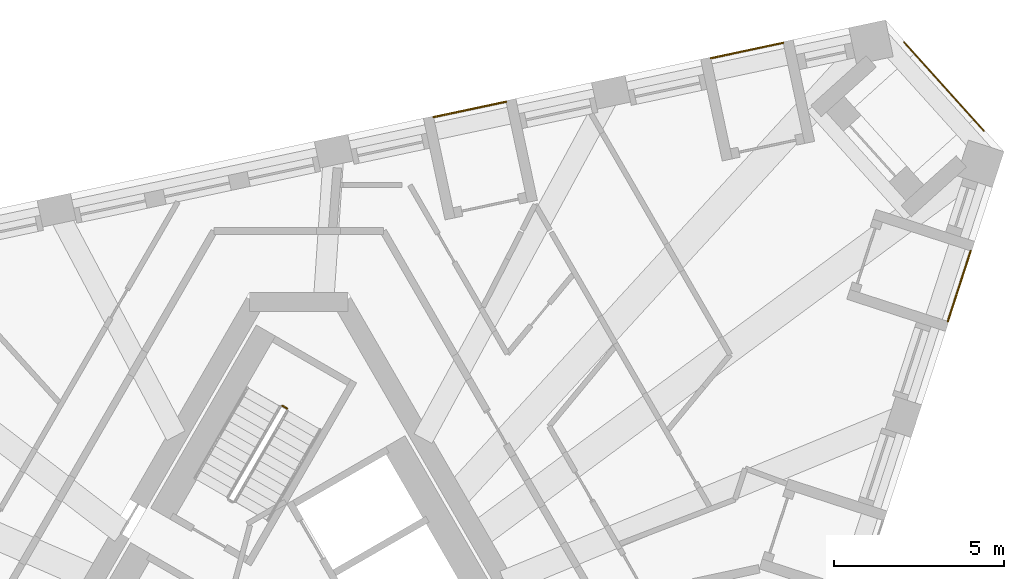
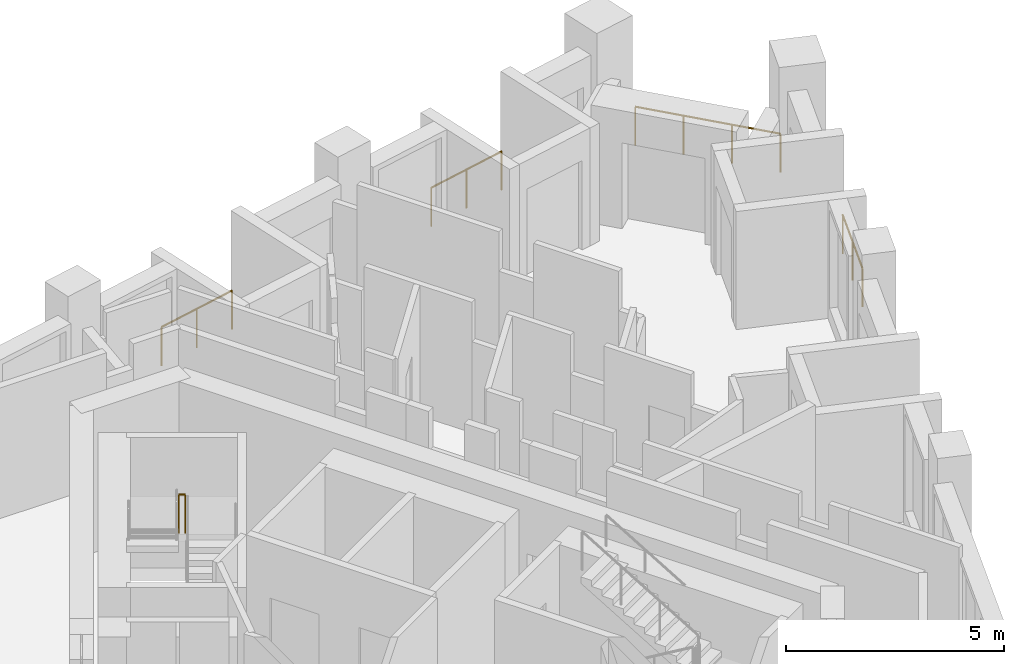
# One storey, part 12 of 12: 5 railings.
"""IFC4 building model written with IfcOpenShell, lengths in metres."""

from ifc_helpers import new_model, si_unit, direction, frame, origin, origin_2d, place, context, subcontext, project, spatial, circle, extrude, material, type_object, element, save


model = new_model("IFC4")

# Units and contexts
model_context = context("Model", 3, precision=1e-05, world=origin(), true_north=direction((0.0, 1.0)))
body_context = subcontext(model_context, "Body", "Model", "MODEL_VIEW")
ifc_project = project(units=[si_unit("LENGTHUNIT", "METRE"), si_unit("AREAUNIT", "SQUARE_METRE"), si_unit("VOLUMEUNIT", "CUBIC_METRE"), si_unit("PLANEANGLEUNIT", "RADIAN"), si_unit("MASSUNIT", "GRAM", prefix="KILO")], contexts=[model_context])

# Site, building, storey
site_placement = place(None, origin())
site = spatial("IfcSite", under=ifc_project, at=site_placement, CompositionType="ELEMENT")
building_placement = place(site_placement, origin())
building = spatial("IfcBuilding", under=site, at=building_placement, Name="Tramontana Tower", CompositionType="ELEMENT")
storey_placement = place(building_placement, frame((0.0, 0.0, 344.39990234375)))
storey = spatial("IfcBuildingStorey", under=building, at=storey_placement, Name="L79", CompositionType="ELEMENT", Elevation=344.39990234375)

# Railings
ifc_material_1 = material(Name="Laminated glass balustrade", Category="glass")
railing_type_1 = type_object("IfcRailingType", Name="GD1 Loggia glass balustrade 1100", PredefinedType="BALUSTRADE", material=ifc_material_1)
railing_1_placement = place(storey_placement, frame((19.0400390625, 10.1552734375, 0.0)))
element("IfcRailing", 1, at=railing_1_placement, inside=storey, type_object=railing_type_1, Name="Loggia balustrade L79 G8S1.13", PredefinedType="BALUSTRADE", context=body_context, shape_type="SweptSolid", body=[
    extrude(circle(Radius=0.02392578125, at=origin_2d()), frame((0.0, 0.0, 1.076171875), z_axis=(0.308966581759, 0.95107289487, 0.0), x_axis=(-0.95107289487, 0.308966581759, 0.0)), (0.0, 0.0, 1.0), 2.17138671875),
    extrude(circle(Radius=0.02099609375, at=origin_2d()), origin(), (0.0, 0.0, 1.0), 1.052001953125),
    extrude(circle(Radius=0.02099609375, at=origin_2d()), frame((0.33544921875, 1.03271484375, 0.0)), (0.0, 0.0, 1.0), 1.052001953125),
    extrude(circle(Radius=0.02099609375, at=origin_2d()), frame((0.6708984375, 2.065185546875, 0.0)), (0.0, 0.0, 1.0), 1.052001953125),
])
for number, where, name in (
    (2, (14.2138671875, 18.32568359375, 0.0), "Loggia balustrade L79 G8S2.1"),
    (3, (6.08154296875, 16.59716796875, 0.0), "Loggia balustrade L79 G8S2.4"),
):
    element("IfcRailing", number, at=place(storey_placement, frame(where)), inside=storey, type_object=railing_type_1, Name=name, PredefinedType="BALUSTRADE", context=body_context, shape_type="SweptSolid", body=[
        extrude(circle(Radius=0.02392578125, at=origin_2d()), frame((0.0, 0.0, 1.076171875), z_axis=(-0.978148276005, -0.207908513891, 0.0), x_axis=(0.207908513891, -0.978148276005, 0.0)), (0.0, 0.0, 1.0), 2.171142578125),
        extrude(circle(Radius=0.02099609375, at=origin_2d()), origin(), (0.0, 0.0, 1.0), 1.052001953125),
        extrude(circle(Radius=0.02099609375, at=origin_2d()), frame((-1.06201171875, -0.2255859375, 0.0)), (0.0, 0.0, 1.0), 1.052001953125),
        extrude(circle(Radius=0.02099609375, at=origin_2d()), frame((-2.123779296875, -0.451416015625, 0.0)), (0.0, 0.0, 1.0), 1.052001953125),
    ])
railing_2_placement = place(storey_placement, frame((17.7568359375, 18.34326171875, 0.0)))
element("IfcRailing", 4, at=railing_2_placement, inside=storey, type_object=railing_type_1, Name="Corner loggia balustrade L79 K82", PredefinedType="BALUSTRADE", context=body_context, shape_type="SweptSolid", body=[
    extrude(circle(Radius=0.02392578125, at=origin_2d()), frame((0.0, 0.0, 1.076171875), z_axis=(0.669134277936, -0.743141519559, 0.0), x_axis=(0.743141519559, 0.669134277936, 0.0)), (0.0, 0.0, 1.0), 3.5),
    extrude(circle(Radius=0.02099609375, at=origin_2d()), origin(), (0.0, 0.0, 1.0), 1.052001953125),
    extrude(circle(Radius=0.02099609375, at=origin_2d()), frame((0.78076171875, -0.866943359375, 0.0)), (0.0, 0.0, 1.0), 1.052001953125),
    extrude(circle(Radius=0.02099609375, at=origin_2d()), frame((1.561279296875, -1.734130859375, 0.0)), (0.0, 0.0, 1.0), 1.052001953125),
    extrude(circle(Radius=0.02099609375, at=origin_2d()), frame((2.342041015625, -2.60107421875, 0.0)), (0.0, 0.0, 1.0), 1.052001953125),
])
ifc_material_2 = material(Name="Painted steel", Category="steel")
railing_type_2 = type_object("IfcRailingType", Name="STAIR GUARD 1100", PredefinedType="GUARDRAIL", material=ifc_material_2)
railing_3_placement = place(storey_placement, frame((-0.345703125, 7.601318359375, 2.0)))
element("IfcRailing", 5, at=railing_3_placement, inside=storey, type_object=railing_type_2, Name="L79 ST1 stair guard 3", PredefinedType="GUARDRAIL", context=body_context, shape_type="SweptSolid", body=[
    extrude(circle(Radius=0.02392578125, at=origin_2d()), frame((0.0, 0.0, 1.076171875), z_axis=(-0.866131372301, 0.499816412211, 0.0), x_axis=(-0.499816412211, -0.866131372301, 0.0)), (0.0, 0.0, 1.0), 0.14990234375),
    extrude(circle(Radius=0.02099609375, at=origin_2d()), origin(), (0.0, 0.0, 1.0), 1.052001953125),
    extrude(circle(Radius=0.02099609375, at=origin_2d()), frame((-0.1298828125, 0.074951171875, 0.0)), (0.0, 0.0, 1.0), 1.052001953125),
])

save(model, "model.ifc")
